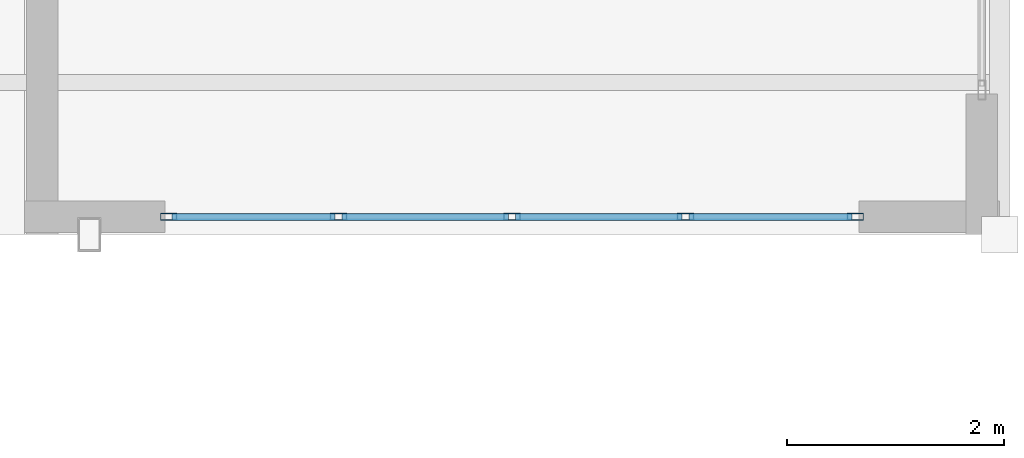
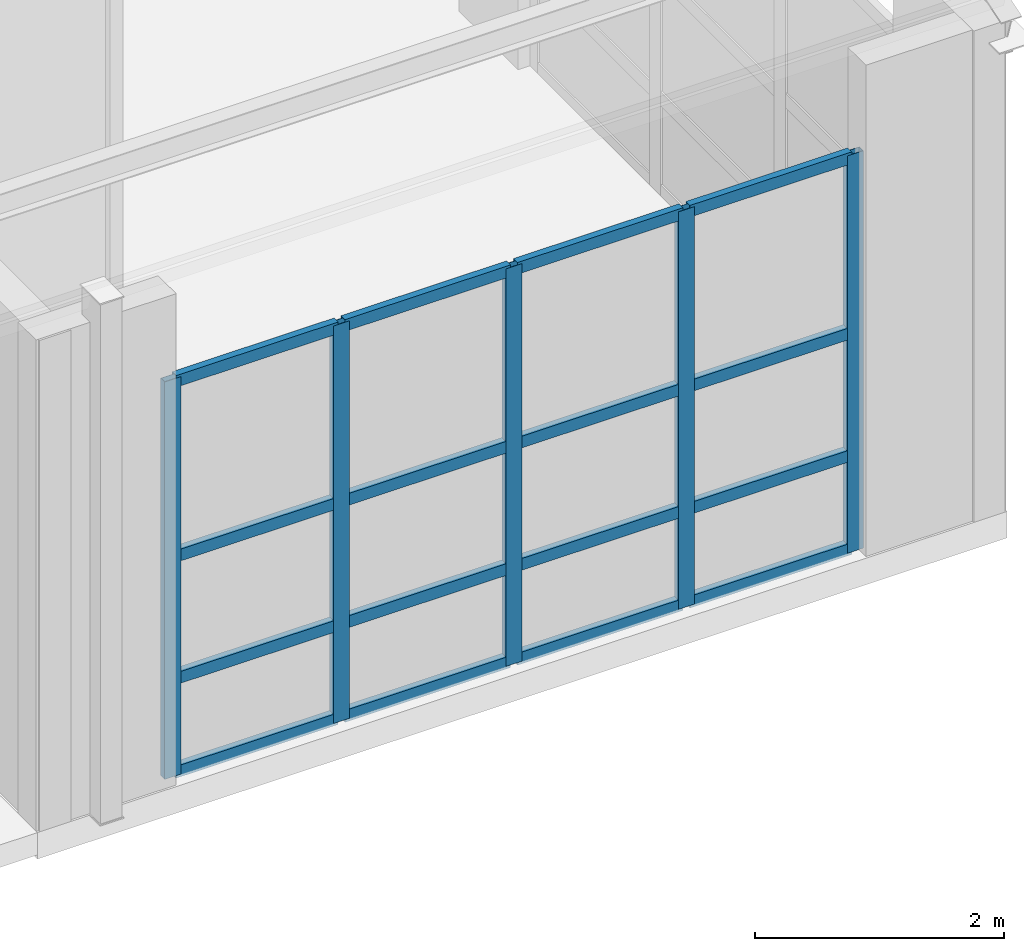
# One storey, part 5 of 34: 21 members, 1 element without a shape of its own.
"""IFC4 building model written with IfcOpenShell, lengths in metres."""

from ifc_helpers import new_model, si_unit, direction, frame, origin, origin_2d, place, context, subcontext, project, spatial, hollow_rectangle, extrude, material, layer, layer_set, material_profile, profile_set, type_object, element, aggregate, save


model = new_model("IFC4")

# Units and contexts
model_context = context("Model", 3, precision=1e-05, world=origin(), true_north=direction((0.0, 1.0)))
body_context = subcontext(model_context, "Body", "Model", "MODEL_VIEW")
ifc_project = project(units=[si_unit("LENGTHUNIT", "METRE"), si_unit("AREAUNIT", "SQUARE_METRE"), si_unit("VOLUMEUNIT", "CUBIC_METRE"), si_unit("PLANEANGLEUNIT", "RADIAN"), si_unit("MASSUNIT", "GRAM", prefix="KILO")], contexts=[model_context])

# Site, building, storey
site_placement = place(None, origin())
site = spatial("IfcSite", under=ifc_project, at=site_placement, CompositionType="ELEMENT")
building_placement = place(site_placement, origin())
building = spatial("IfcBuilding", under=site, at=building_placement, Name="Quendrovan Civic Courthouse", CompositionType="ELEMENT")
storey_placement = place(building_placement, frame((0.0, 0.0, 25.5)))
storey = spatial("IfcBuildingStorey", under=building, at=storey_placement, Name="L06", CompositionType="ELEMENT", Elevation=25.5)

# Curtain wall, members
ifc_material_1 = material(Name="Bronze anodised aluminium and low-E glass", Category="aluminium")
ifc_layer = layer(ifc_material_1, 0.179931640625, Name="Bronze anodised aluminium and low-E glass")
ifc_layer_set = layer_set([ifc_layer], Name="Bronze anodised aluminium and low-E glass")
curtain_wall_type = type_object("IfcCurtainWallType", Name="CW-U64x39", PredefinedType="USERDEFINED", material=ifc_layer_set)
curtain_wall_placement = place(storey_placement, origin())
curtain_wall = element("IfcCurtainWall", 1, at=curtain_wall_placement, inside=storey, type_object=curtain_wall_type, Name="L06 Unitised Hurricane Curtain Wall CW-215", ObjectType="UNITISED CURTAIN WALL", PredefinedType="USERDEFINED")
ifc_material_2 = material(Name="Bronze anodised aluminium", Category="aluminium")
ifc_material_profile_1 = material_profile(ifc_material_2, hollow_rectangle(XDim=0.06494140625, YDim=0.14990234375, WallThickness=0.00390625, at=origin_2d()), Name="CW-MULL-65x150")
ifc_profile_set_1 = profile_set([ifc_material_profile_1], Name="Bronze anodised aluminium")
member_type_1 = type_object("IfcMemberType", Name="CW-MULL-B", PredefinedType="MULLION", material=ifc_profile_set_1)
member_1_placement = place(storey_placement, frame((15.467529296875, 23.56494140625, 0.0), z_axis=(0.0, 0.0, 1.0), x_axis=(0.0, -1.0, 0.0)))
member_1 = element("IfcMember", 2, at=member_1_placement, type_object=member_type_1, Name="CW-215 mullion 1", PredefinedType="MULLION", context=body_context, shape_type="SweptSolid", body=[
    extrude(hollow_rectangle(XDim=0.06494140625, YDim=0.14990234375, WallThickness=0.00390625, at=origin_2d()), origin(), (0.0, 0.0, 1.0), 3.89990234375),
])
member_2_placement = place(storey_placement, frame((13.89990234375, 23.56494140625, 0.0), z_axis=(0.0, 0.0, 1.0), x_axis=(0.0, -1.0, 0.0)))
member_2 = element("IfcMember", 3, at=member_2_placement, type_object=member_type_1, Name="CW-215 mullion 2", PredefinedType="MULLION", context=body_context, shape_type="SweptSolid", body=[
    extrude(hollow_rectangle(XDim=0.06494140625, YDim=0.14990234375, WallThickness=0.00390625, at=origin_2d()), origin(), (0.0, 0.0, 1.0), 3.89990234375),
])
member_3_placement = place(storey_placement, frame((12.300048828125, 23.56494140625, 0.0), z_axis=(0.0, 0.0, 1.0), x_axis=(0.0, -1.0, 0.0)))
member_3 = element("IfcMember", 4, at=member_3_placement, type_object=member_type_1, Name="CW-215 mullion 3", PredefinedType="MULLION", context=body_context, shape_type="SweptSolid", body=[
    extrude(hollow_rectangle(XDim=0.06494140625, YDim=0.14990234375, WallThickness=0.00390625, at=origin_2d()), origin(), (0.0, 0.0, 1.0), 3.89990234375),
])
member_4_placement = place(storey_placement, frame((10.699951171875, 23.56494140625, 0.0), z_axis=(0.0, 0.0, 1.0), x_axis=(0.0, -1.0, 0.0)))
member_4 = element("IfcMember", 5, at=member_4_placement, type_object=member_type_1, Name="CW-215 mullion 4", PredefinedType="MULLION", context=body_context, shape_type="SweptSolid", body=[
    extrude(hollow_rectangle(XDim=0.06494140625, YDim=0.14990234375, WallThickness=0.00390625, at=origin_2d()), origin(), (0.0, 0.0, 1.0), 3.89990234375),
])
member_5_placement = place(storey_placement, frame((9.132568359375, 23.56494140625, 0.0), z_axis=(0.0, 0.0, 1.0), x_axis=(0.0, -1.0, 0.0)))
member_5 = element("IfcMember", 6, at=member_5_placement, type_object=member_type_1, Name="CW-215 mullion 5", PredefinedType="MULLION", context=body_context, shape_type="SweptSolid", body=[
    extrude(hollow_rectangle(XDim=0.06494140625, YDim=0.14990234375, WallThickness=0.00390625, at=origin_2d()), origin(), (0.0, 0.0, 1.0), 3.89990234375),
])
ifc_material_profile_2 = material_profile(ifc_material_2, hollow_rectangle(XDim=0.06494140625, YDim=0.114990234375, WallThickness=0.00390625, at=origin_2d()), Name="CW-TRAN-65x115")
ifc_profile_set_2 = profile_set([ifc_material_profile_2], Name="Bronze anodised aluminium")
member_type_2 = type_object("IfcMemberType", Name="CW-TRAN-B", PredefinedType="USERDEFINED", material=ifc_profile_set_2)
member_6_placement = place(storey_placement, frame((15.43505859375, 23.56494140625, 0.032470703125), z_axis=(-1.0, 0.0, 0.0), x_axis=(0.0, -1.0, 0.0)))
member_6 = element("IfcMember", 7, at=member_6_placement, type_object=member_type_2, Name="CW-215 transom 1.1", ObjectType="TRANSOM", PredefinedType="USERDEFINED", context=body_context, shape_type="SweptSolid", body=[
    extrude(hollow_rectangle(XDim=0.06494140625, YDim=0.114990234375, WallThickness=0.00390625, at=origin_2d()), origin(), (0.0, 0.0, 1.0), 1.50244140625),
])
member_7_placement = place(storey_placement, frame((15.43505859375, 23.56494140625, 0.949951171875), z_axis=(-1.0, 0.0, 0.0), x_axis=(0.0, -1.0, 0.0)))
member_7 = element("IfcMember", 8, at=member_7_placement, type_object=member_type_2, Name="CW-215 transom 1.2", ObjectType="TRANSOM", PredefinedType="USERDEFINED", context=body_context, shape_type="SweptSolid", body=[
    extrude(hollow_rectangle(XDim=0.06494140625, YDim=0.114990234375, WallThickness=0.00390625, at=origin_2d()), origin(), (0.0, 0.0, 1.0), 1.50244140625),
])
member_8_placement = place(storey_placement, frame((15.43505859375, 23.56494140625, 2.14990234375), z_axis=(-1.0, 0.0, 0.0), x_axis=(0.0, -1.0, 0.0)))
member_8 = element("IfcMember", 9, at=member_8_placement, type_object=member_type_2, Name="CW-215 transom 1.3", ObjectType="TRANSOM", PredefinedType="USERDEFINED", context=body_context, shape_type="SweptSolid", body=[
    extrude(hollow_rectangle(XDim=0.06494140625, YDim=0.114990234375, WallThickness=0.00390625, at=origin_2d()), origin(), (0.0, 0.0, 1.0), 1.50244140625),
])
member_9_placement = place(storey_placement, frame((15.43505859375, 23.56494140625, 3.867431640625), z_axis=(-1.0, 0.0, 0.0), x_axis=(0.0, -1.0, 0.0)))
member_9 = element("IfcMember", 10, at=member_9_placement, type_object=member_type_2, Name="CW-215 transom 1.4", ObjectType="TRANSOM", PredefinedType="USERDEFINED", context=body_context, shape_type="SweptSolid", body=[
    extrude(hollow_rectangle(XDim=0.06494140625, YDim=0.114990234375, WallThickness=0.00390625, at=origin_2d()), origin(), (0.0, 0.0, 1.0), 1.50244140625),
])
member_10_placement = place(storey_placement, frame((13.867431640625, 23.56494140625, 0.032470703125), z_axis=(-1.0, 0.0, 0.0), x_axis=(0.0, -1.0, 0.0)))
member_10 = element("IfcMember", 11, at=member_10_placement, type_object=member_type_2, Name="CW-215 transom 2.1", ObjectType="TRANSOM", PredefinedType="USERDEFINED", context=body_context, shape_type="SweptSolid", body=[
    extrude(hollow_rectangle(XDim=0.06494140625, YDim=0.114990234375, WallThickness=0.00390625, at=origin_2d()), origin(), (0.0, 0.0, 1.0), 1.534912109375),
])
member_11_placement = place(storey_placement, frame((13.867431640625, 23.56494140625, 0.949951171875), z_axis=(-1.0, 0.0, 0.0), x_axis=(0.0, -1.0, 0.0)))
member_11 = element("IfcMember", 12, at=member_11_placement, type_object=member_type_2, Name="CW-215 transom 2.2", ObjectType="TRANSOM", PredefinedType="USERDEFINED", context=body_context, shape_type="SweptSolid", body=[
    extrude(hollow_rectangle(XDim=0.06494140625, YDim=0.114990234375, WallThickness=0.00390625, at=origin_2d()), origin(), (0.0, 0.0, 1.0), 1.534912109375),
])
member_12_placement = place(storey_placement, frame((13.867431640625, 23.56494140625, 2.14990234375), z_axis=(-1.0, 0.0, 0.0), x_axis=(0.0, -1.0, 0.0)))
member_12 = element("IfcMember", 13, at=member_12_placement, type_object=member_type_2, Name="CW-215 transom 2.3", ObjectType="TRANSOM", PredefinedType="USERDEFINED", context=body_context, shape_type="SweptSolid", body=[
    extrude(hollow_rectangle(XDim=0.06494140625, YDim=0.114990234375, WallThickness=0.00390625, at=origin_2d()), origin(), (0.0, 0.0, 1.0), 1.534912109375),
])
member_13_placement = place(storey_placement, frame((13.867431640625, 23.56494140625, 3.867431640625), z_axis=(-1.0, 0.0, 0.0), x_axis=(0.0, -1.0, 0.0)))
member_13 = element("IfcMember", 14, at=member_13_placement, type_object=member_type_2, Name="CW-215 transom 2.4", ObjectType="TRANSOM", PredefinedType="USERDEFINED", context=body_context, shape_type="SweptSolid", body=[
    extrude(hollow_rectangle(XDim=0.06494140625, YDim=0.114990234375, WallThickness=0.00390625, at=origin_2d()), origin(), (0.0, 0.0, 1.0), 1.534912109375),
])
member_14_placement = place(storey_placement, frame((12.267578125, 23.56494140625, 0.032470703125), z_axis=(-1.0, 0.0, 0.0), x_axis=(0.0, -1.0, 0.0)))
member_14 = element("IfcMember", 15, at=member_14_placement, type_object=member_type_2, Name="CW-215 transom 3.1", ObjectType="TRANSOM", PredefinedType="USERDEFINED", context=body_context, shape_type="SweptSolid", body=[
    extrude(hollow_rectangle(XDim=0.06494140625, YDim=0.114990234375, WallThickness=0.00390625, at=origin_2d()), origin(), (0.0, 0.0, 1.0), 1.53515625),
])
member_15_placement = place(storey_placement, frame((12.267578125, 23.56494140625, 0.949951171875), z_axis=(-1.0, 0.0, 0.0), x_axis=(0.0, -1.0, 0.0)))
member_15 = element("IfcMember", 16, at=member_15_placement, type_object=member_type_2, Name="CW-215 transom 3.2", ObjectType="TRANSOM", PredefinedType="USERDEFINED", context=body_context, shape_type="SweptSolid", body=[
    extrude(hollow_rectangle(XDim=0.06494140625, YDim=0.114990234375, WallThickness=0.00390625, at=origin_2d()), origin(), (0.0, 0.0, 1.0), 1.53515625),
])
member_16_placement = place(storey_placement, frame((12.267578125, 23.56494140625, 2.14990234375), z_axis=(-1.0, 0.0, 0.0), x_axis=(0.0, -1.0, 0.0)))
member_16 = element("IfcMember", 17, at=member_16_placement, type_object=member_type_2, Name="CW-215 transom 3.3", ObjectType="TRANSOM", PredefinedType="USERDEFINED", context=body_context, shape_type="SweptSolid", body=[
    extrude(hollow_rectangle(XDim=0.06494140625, YDim=0.114990234375, WallThickness=0.00390625, at=origin_2d()), origin(), (0.0, 0.0, 1.0), 1.53515625),
])
member_17_placement = place(storey_placement, frame((12.267578125, 23.56494140625, 3.867431640625), z_axis=(-1.0, 0.0, 0.0), x_axis=(0.0, -1.0, 0.0)))
member_17 = element("IfcMember", 18, at=member_17_placement, type_object=member_type_2, Name="CW-215 transom 3.4", ObjectType="TRANSOM", PredefinedType="USERDEFINED", context=body_context, shape_type="SweptSolid", body=[
    extrude(hollow_rectangle(XDim=0.06494140625, YDim=0.114990234375, WallThickness=0.00390625, at=origin_2d()), origin(), (0.0, 0.0, 1.0), 1.53515625),
])
member_18_placement = place(storey_placement, frame((10.66748046875, 23.56494140625, 0.032470703125), z_axis=(-1.0, 0.0, 0.0), x_axis=(0.0, -1.0, 0.0)))
member_18 = element("IfcMember", 19, at=member_18_placement, type_object=member_type_2, Name="CW-215 transom 4.1", ObjectType="TRANSOM", PredefinedType="USERDEFINED", context=body_context, shape_type="SweptSolid", body=[
    extrude(hollow_rectangle(XDim=0.06494140625, YDim=0.114990234375, WallThickness=0.00390625, at=origin_2d()), origin(), (0.0, 0.0, 1.0), 1.50244140625),
])
member_19_placement = place(storey_placement, frame((10.66748046875, 23.56494140625, 0.949951171875), z_axis=(-1.0, 0.0, 0.0), x_axis=(0.0, -1.0, 0.0)))
member_19 = element("IfcMember", 20, at=member_19_placement, type_object=member_type_2, Name="CW-215 transom 4.2", ObjectType="TRANSOM", PredefinedType="USERDEFINED", context=body_context, shape_type="SweptSolid", body=[
    extrude(hollow_rectangle(XDim=0.06494140625, YDim=0.114990234375, WallThickness=0.00390625, at=origin_2d()), origin(), (0.0, 0.0, 1.0), 1.50244140625),
])
member_20_placement = place(storey_placement, frame((10.66748046875, 23.56494140625, 2.14990234375), z_axis=(-1.0, 0.0, 0.0), x_axis=(0.0, -1.0, 0.0)))
member_20 = element("IfcMember", 21, at=member_20_placement, type_object=member_type_2, Name="CW-215 transom 4.3", ObjectType="TRANSOM", PredefinedType="USERDEFINED", context=body_context, shape_type="SweptSolid", body=[
    extrude(hollow_rectangle(XDim=0.06494140625, YDim=0.114990234375, WallThickness=0.00390625, at=origin_2d()), origin(), (0.0, 0.0, 1.0), 1.50244140625),
])
member_21_placement = place(storey_placement, frame((10.66748046875, 23.56494140625, 3.867431640625), z_axis=(-1.0, 0.0, 0.0), x_axis=(0.0, -1.0, 0.0)))
member_21 = element("IfcMember", 22, at=member_21_placement, type_object=member_type_2, Name="CW-215 transom 4.4", ObjectType="TRANSOM", PredefinedType="USERDEFINED", context=body_context, shape_type="SweptSolid", body=[
    extrude(hollow_rectangle(XDim=0.06494140625, YDim=0.114990234375, WallThickness=0.00390625, at=origin_2d()), origin(), (0.0, 0.0, 1.0), 1.50244140625),
])
aggregate(curtain_wall, [member_1, member_2, member_3, member_4, member_5, member_6, member_7, member_8, member_9, member_10, member_11, member_12, member_13, member_14, member_15, member_16, member_17, member_18, member_19, member_20, member_21])

save(model, "model.ifc")
